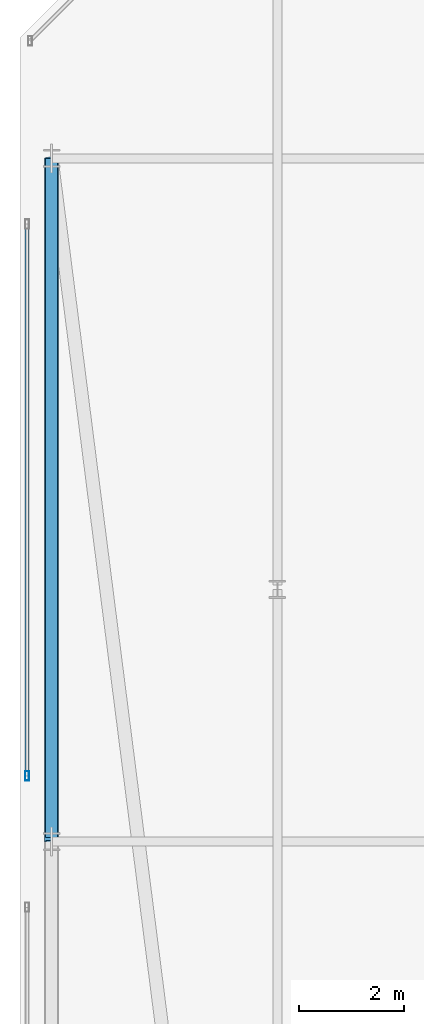
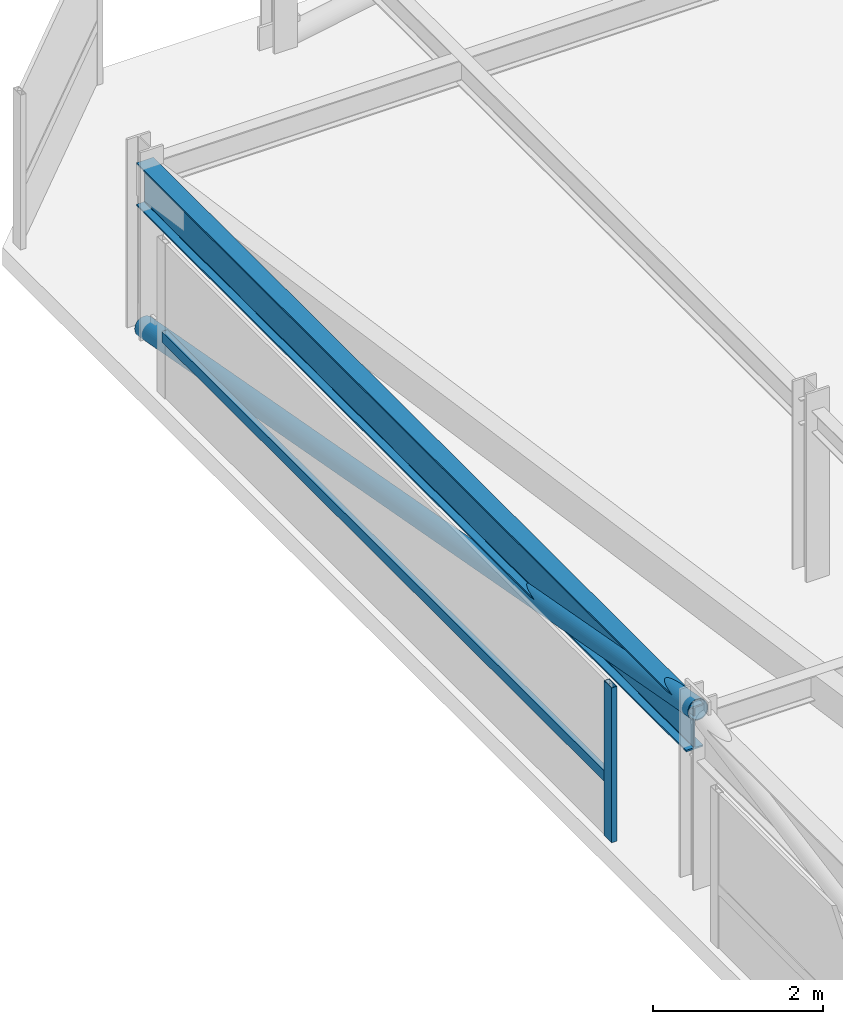
# One storey, part 14 of 42: 3 members, 1 beam, 1 element without a shape of its own.
"""IFC4 building model written with IfcOpenShell, lengths in metres."""

from ifc_helpers import new_model, si_unit, direction, frame, origin, origin_2d, place, context, subcontext, project, spatial, hollow_rectangle, hollow_circle, i_section, extrude, material, material_profile, profile_set, type_object, element, aggregate, save


model = new_model("IFC4")

# Units and contexts
model_context = context("Model", 3, precision=1e-05, world=origin(), true_north=direction((0.0, 1.0)))
body_context = subcontext(model_context, "Body", "Model", "MODEL_VIEW")
ifc_project = project(units=[si_unit("LENGTHUNIT", "METRE"), si_unit("AREAUNIT", "SQUARE_METRE"), si_unit("VOLUMEUNIT", "CUBIC_METRE"), si_unit("PLANEANGLEUNIT", "RADIAN"), si_unit("MASSUNIT", "GRAM", prefix="KILO")], contexts=[model_context])

# Site, building, storey
site_placement = place(None, origin())
site = spatial("IfcSite", under=ifc_project, at=site_placement, CompositionType="ELEMENT")
building_placement = place(site_placement, origin())
building = spatial("IfcBuilding", under=site, at=building_placement, Name="Thornwick Lancets Civic Towers", CompositionType="ELEMENT")
storey_placement = place(building_placement, frame((0.0, 0.0, 286.800048828125)))
storey = spatial("IfcBuildingStorey", under=building, at=storey_placement, Name="C03", CompositionType="ELEMENT", Elevation=286.800048828125)

# Beam
ifc_material_1 = material(Name="Steel S355JR", Category="steel")
ifc_material_profile_1 = material_profile(ifc_material_1, i_section(OverallWidth=0.230224609375, OverallDepth=0.6171875, WebThickness=0.01318359375, FlangeThickness=0.022216796875, FilletRadius=0.0126953125, at=origin_2d()), Name="UKB 610x229x140")
ifc_profile_set_1 = profile_set([ifc_material_profile_1], Name="Steel S355JR")
beam_type = type_object("IfcBeamType", Name="BM_GIRD_610_140", PredefinedType="BEAM", material=ifc_profile_set_1)
beam_placement = place(storey_placement, frame((8.199951171875, 27.080078125, 2.13134765625), z_axis=(0.0, 1.0, 0.0), x_axis=(-1.0, 0.0, 0.0)))
element("IfcBeam", 1, at=beam_placement, inside=storey, type_object=beam_type, Name="BM-SPINE-C03-A-10-11", PredefinedType="BEAM", context=body_context, shape_type="SweptSolid", body=[
    extrude(i_section(OverallWidth=0.230224609375, OverallDepth=0.6171875, WebThickness=0.01318359375, FlangeThickness=0.022216796875, FilletRadius=0.0126953125, at=origin_2d()), origin(), (0.0, 0.0, 1.0), 12.919921875),
])

# Curtain wall, members
ifc_material_2 = material(Name="Crown ring acoustic-louvre and glazing screen wall", Category="glass")
curtain_wall_type = type_object("IfcCurtainWallType", Name="CW_SYS_07", PredefinedType="NOTDEFINED", material=ifc_material_2)
curtain_wall_placement = place(storey_placement, origin())
curtain_wall = element("IfcCurtainWall", 2, at=curtain_wall_placement, inside=storey, type_object=curtain_wall_type, Name="C03 Curtain Wall CW-C03-A-E6-S1", PredefinedType="NOTDEFINED")
ifc_material_3 = material(Name="Thermally broken bronze aluminium S355", Category="steel")
ifc_material_profile_2 = material_profile(ifc_material_3, hollow_rectangle(XDim=0.074951171875, YDim=0.179931640625, WallThickness=0.006103515625, at=origin_2d()), Name="RHS 180x75x6")
ifc_profile_set_2 = profile_set([ifc_material_profile_2], Name="Thermally broken bronze aluminium S355")
member_type_1 = type_object("IfcMemberType", Name="CW_MUL_180", PredefinedType="MULLION", material=ifc_profile_set_2)
member_1_placement = place(storey_placement, frame((7.7353515625, 28.25, 0.0), z_axis=(0.0, 0.0, 1.0), x_axis=(1.0, 0.0, 0.0)))
member_1 = element("IfcMember", 3, at=member_1_placement, type_object=member_type_1, Name="CW-C03-A-E6-S1 Mullion 1", PredefinedType="MULLION", context=body_context, shape_type="SweptSolid", body=[
    extrude(hollow_rectangle(XDim=0.074951171875, YDim=0.179931640625, WallThickness=0.006103515625, at=origin_2d()), origin(), (0.0, 0.0, 1.0), 2.219970703125),
])
ifc_material_profile_3 = material_profile(ifc_material_3, hollow_rectangle(XDim=0.074951171875, YDim=0.14990234375, WallThickness=0.0048828125, at=origin_2d()), Name="RHS 150x75x5")
ifc_profile_set_3 = profile_set([ifc_material_profile_3], Name="Thermally broken bronze aluminium S355")
member_type_2 = type_object("IfcMemberType", Name="CW_TRN_150", PredefinedType="USERDEFINED", material=ifc_profile_set_3)
member_2_placement = place(storey_placement, frame((7.7353515625, 38.72998046875, 0.849853515625), z_axis=(0.0, -1.0, 0.0), x_axis=(1.0, 0.0, 0.0)))
member_2 = element("IfcMember", 4, at=member_2_placement, type_object=member_type_2, Name="CW-C03-A-E6-S1 Transom 0", ObjectType="TRANSOM", PredefinedType="USERDEFINED", context=body_context, shape_type="SweptSolid", body=[
    extrude(hollow_rectangle(XDim=0.074951171875, YDim=0.14990234375, WallThickness=0.0048828125, at=origin_2d()), origin(), (0.0, 0.0, 1.0), 10.4599609375),
])
aggregate(curtain_wall, [member_1, member_2])

# Member
ifc_material_profile_4 = material_profile(ifc_material_1, hollow_circle(Radius=0.136474609375, WallThickness=0.012451171875, at=origin_2d()), Name="CHS 273x12.5")
ifc_profile_set_4 = profile_set([ifc_material_profile_4], Name="Steel S355JR")
member_type_3 = type_object("IfcMemberType", Name="MEM_CROWN_CHS273", PredefinedType="BRACE", material=ifc_profile_set_4)
member_3_placement = place(storey_placement, frame((8.199951171875, 40.0, 0.050048828125), z_axis=(0.0, -0.98351842104, 0.180807951915), x_axis=(1.0, 0.0, 0.0)))
element("IfcMember", 5, at=member_3_placement, inside=storey, type_object=member_type_3, Name="C03 Crown Ring Lancet Rib A-S3-R", PredefinedType="BRACE", context=body_context, shape_type="SweptSolid", body=[
    extrude(hollow_circle(Radius=0.136474609375, WallThickness=0.012451171875, at=origin_2d()), origin(), (0.0, 0.0, 1.0), 13.2177734375),
])

save(model, "model.ifc")
